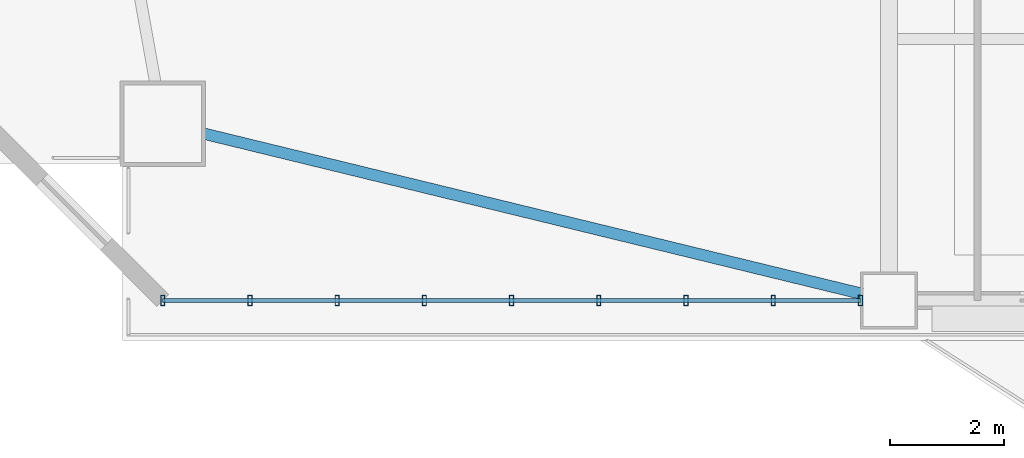
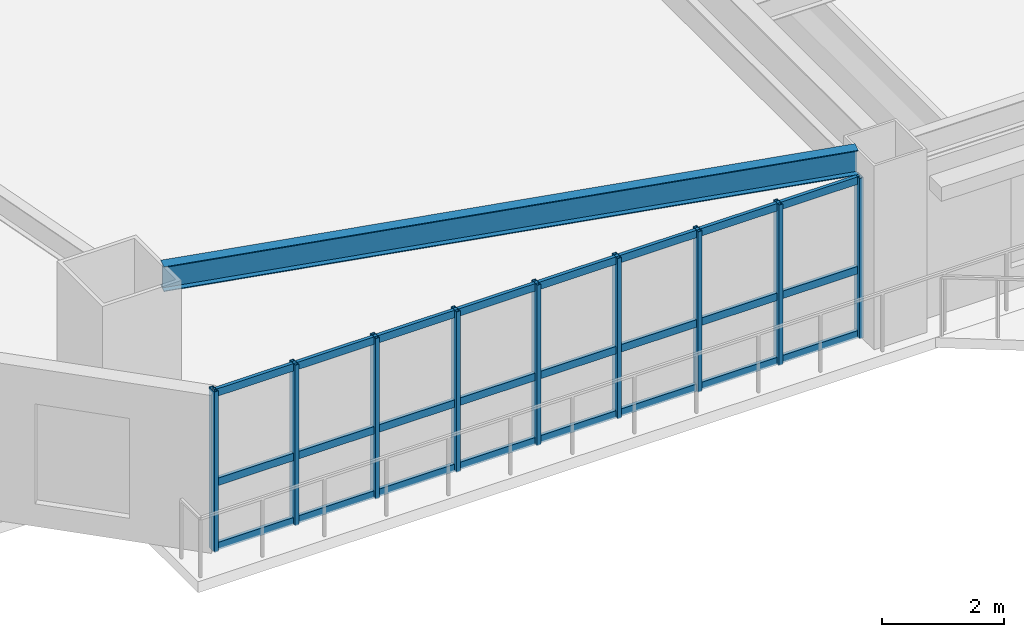
# One storey, part 2 of 16: 12 members, 1 beam, 1 element without a shape of its own.
"""IFC4 building model written with IfcOpenShell, lengths in metres."""

from ifc_helpers import new_model, si_unit, direction, frame, origin, origin_2d, place, context, subcontext, project, spatial, hollow_rectangle, i_section, extrude, source, transform, mapped, material, layer, layer_set, material_profile, profile_set, type_object, element, aggregate, save


model = new_model("IFC4")

# Units and contexts
model_context = context("Model", 3, precision=1e-05, world=origin(), true_north=direction((0.0, 1.0)))
body_context = subcontext(model_context, "Body", "Model", "MODEL_VIEW")
ifc_project = project(units=[si_unit("LENGTHUNIT", "METRE"), si_unit("AREAUNIT", "SQUARE_METRE"), si_unit("VOLUMEUNIT", "CUBIC_METRE"), si_unit("PLANEANGLEUNIT", "RADIAN"), si_unit("MASSUNIT", "GRAM", prefix="KILO")], contexts=[model_context])

# Site, building, storey
site_placement = place(None, origin())
site = spatial("IfcSite", under=ifc_project, at=site_placement, CompositionType="ELEMENT")
building_placement = place(site_placement, origin())
building = spatial("IfcBuilding", under=site, at=building_placement, Name="Giltprow Tower", CompositionType="ELEMENT")
storey_placement = place(building_placement, frame((0.0, 0.0, 79.60009765625)))
storey = spatial("IfcBuildingStorey", under=building, at=storey_placement, Name="L19", CompositionType="ELEMENT", Elevation=79.60009765625)

# Beam
ifc_material_1 = material(Name="Structural steel Q355B", Category="steel")
ifc_material_profile_1 = material_profile(ifc_material_1, i_section(OverallWidth=0.199951171875, OverallDepth=0.5, WebThickness=0.010009765625, FlangeThickness=0.01611328125, at=origin_2d()), Name="HN 500x200x10x16")
ifc_profile_set_1 = profile_set([ifc_material_profile_1], Name="Structural steel Q355B")
beam_type = type_object("IfcBeamType", Name="BM-SPAN-HN500", PredefinedType="SPANDREL", material=ifc_profile_set_1)
shared_shape_1 = source(origin(), body_context, "Body", "SweptSolid", [
    extrude(i_section(OverallWidth=0.199951171875, OverallDepth=0.5, WebThickness=0.010009765625, FlangeThickness=0.01611328125, at=origin_2d()), origin(), (0.0, 0.0, 1.0), 11.86572265625),
])
beam_placement = place(storey_placement, frame((7.85009765625, 8.3310546875, 3.429931640625), z_axis=(0.971612917486, -0.236576284894, 0.0), x_axis=(0.236576284894, 0.971612917486, 0.0)))
element("IfcBeam", 1, at=beam_placement, inside=storey, type_object=beam_type, Name="L19 Perimeter Spandrel Beam MC_SW-S1", PredefinedType="SPANDREL", context=body_context, shape_type="MappedRepresentation", body=[
    mapped(shared_shape_1, transform((0.0, 0.0, 0.0), x_axis=(1.0, 0.0, 0.0), y_axis=(0.0, 1.0, 0.0), z_axis=(0.0, 0.0, 1.0), scale=1.0)),
])

# Curtain wall, members
ifc_material_2 = material(Name="Anodized bronze", Category="metal")
ifc_layer = layer(ifc_material_2, 0.179931640625, Name="Anodized bronze")
ifc_layer_set = layer_set([ifc_layer], Name="Anodized bronze")
curtain_wall_type = type_object("IfcCurtainWallType", Name="CW-OFF-RECESSED", PredefinedType="NOTDEFINED", material=ifc_layer_set)
curtain_wall_placement = place(storey_placement, origin())
curtain_wall = element("IfcCurtainWall", 2, at=curtain_wall_placement, inside=storey, type_object=curtain_wall_type, Name="L19 South Recessed Curtain Wall 1", PredefinedType="NOTDEFINED")
ifc_material_profile_2 = material_profile(ifc_material_2, hollow_rectangle(XDim=0.074951171875, YDim=0.179931640625, WallThickness=0.008056640625, at=origin_2d()), Name="RHS 180x75x8")
ifc_profile_set_2 = profile_set([ifc_material_profile_2], Name="Anodized bronze")
member_type_1 = type_object("IfcMemberType", Name="CW-MULLION-180x75", PredefinedType="MULLION", material=ifc_profile_set_2)
shared_shape_2 = source(origin(), body_context, "Body", "SweptSolid", [
    extrude(hollow_rectangle(XDim=0.074951171875, YDim=0.179931640625, WallThickness=0.008056640625, at=origin_2d()), origin(), (0.0, 0.0, 1.0), 3.21484375),
])
member_1_placement = place(storey_placement, frame((7.135986328125, 5.408935546875, -0.02001953125), z_axis=(0.0, 0.0, 1.0), x_axis=(1.0, 0.0, 0.0)))
member_1 = element("IfcMember", 3, at=member_1_placement, type_object=member_type_1, Name="L19 South Recessed Curtain Wall 1 Mullion 1", PredefinedType="MULLION", context=body_context, shape_type="MappedRepresentation", body=[
    mapped(shared_shape_2, transform((0.0, 0.0, 0.0), x_axis=(1.0, 0.0, 0.0), y_axis=(0.0, 1.0, 0.0), z_axis=(0.0, 0.0, 1.0), scale=1.0)),
])
member_2_placement = place(storey_placement, frame((8.6630859375, 5.408935546875, -0.02001953125), z_axis=(0.0, 0.0, 1.0), x_axis=(1.0, 0.0, 0.0)))
member_2 = element("IfcMember", 4, at=member_2_placement, type_object=member_type_1, Name="L19 South Recessed Curtain Wall 1 Mullion 2", PredefinedType="MULLION", context=body_context, shape_type="MappedRepresentation", body=[
    mapped(shared_shape_2, transform((0.0, 0.0, 0.0), x_axis=(1.0, 0.0, 0.0), y_axis=(0.0, 1.0, 0.0), z_axis=(0.0, 0.0, 1.0), scale=1.0)),
])
member_3_placement = place(storey_placement, frame((10.18994140625, 5.408935546875, -0.02001953125), z_axis=(0.0, 0.0, 1.0), x_axis=(1.0, 0.0, 0.0)))
member_3 = element("IfcMember", 5, at=member_3_placement, type_object=member_type_1, Name="L19 South Recessed Curtain Wall 1 Mullion 3", PredefinedType="MULLION", context=body_context, shape_type="MappedRepresentation", body=[
    mapped(shared_shape_2, transform((0.0, 0.0, 0.0), x_axis=(1.0, 0.0, 0.0), y_axis=(0.0, 1.0, 0.0), z_axis=(0.0, 0.0, 1.0), scale=1.0)),
])
member_4_placement = place(storey_placement, frame((11.716064453125, 5.408935546875, -0.02001953125), z_axis=(0.0, 0.0, 1.0), x_axis=(1.0, 0.0, 0.0)))
member_4 = element("IfcMember", 6, at=member_4_placement, type_object=member_type_1, Name="L19 South Recessed Curtain Wall 1 Mullion 4", PredefinedType="MULLION", context=body_context, shape_type="MappedRepresentation", body=[
    mapped(shared_shape_2, transform((0.0, 0.0, 0.0), x_axis=(1.0, 0.0, 0.0), y_axis=(0.0, 1.0, 0.0), z_axis=(0.0, 0.0, 1.0), scale=1.0)),
])
member_5_placement = place(storey_placement, frame((13.242919921875, 5.408935546875, -0.02001953125), z_axis=(0.0, 0.0, 1.0), x_axis=(1.0, 0.0, 0.0)))
member_5 = element("IfcMember", 7, at=member_5_placement, type_object=member_type_1, Name="L19 South Recessed Curtain Wall 1 Mullion 5", PredefinedType="MULLION", context=body_context, shape_type="MappedRepresentation", body=[
    mapped(shared_shape_2, transform((0.0, 0.0, 0.0), x_axis=(1.0, 0.0, 0.0), y_axis=(0.0, 1.0, 0.0), z_axis=(0.0, 0.0, 1.0), scale=1.0)),
])
member_6_placement = place(storey_placement, frame((14.77001953125, 5.408935546875, -0.02001953125), z_axis=(0.0, 0.0, 1.0), x_axis=(1.0, 0.0, 0.0)))
member_6 = element("IfcMember", 8, at=member_6_placement, type_object=member_type_1, Name="L19 South Recessed Curtain Wall 1 Mullion 6", PredefinedType="MULLION", context=body_context, shape_type="MappedRepresentation", body=[
    mapped(shared_shape_2, transform((0.0, 0.0, 0.0), x_axis=(1.0, 0.0, 0.0), y_axis=(0.0, 1.0, 0.0), z_axis=(0.0, 0.0, 1.0), scale=1.0)),
])
member_7_placement = place(storey_placement, frame((16.297119140625, 5.408935546875, -0.02001953125), z_axis=(0.0, 0.0, 1.0), x_axis=(1.0, 0.0, 0.0)))
member_7 = element("IfcMember", 9, at=member_7_placement, type_object=member_type_1, Name="L19 South Recessed Curtain Wall 1 Mullion 7", PredefinedType="MULLION", context=body_context, shape_type="MappedRepresentation", body=[
    mapped(shared_shape_2, transform((0.0, 0.0, 0.0), x_axis=(1.0, 0.0, 0.0), y_axis=(0.0, 1.0, 0.0), z_axis=(0.0, 0.0, 1.0), scale=1.0)),
])
member_8_placement = place(storey_placement, frame((17.822998046875, 5.408935546875, -0.02001953125), z_axis=(0.0, 0.0, 1.0), x_axis=(1.0, 0.0, 0.0)))
member_8 = element("IfcMember", 10, at=member_8_placement, type_object=member_type_1, Name="L19 South Recessed Curtain Wall 1 Mullion 8", PredefinedType="MULLION", context=body_context, shape_type="MappedRepresentation", body=[
    mapped(shared_shape_2, transform((0.0, 0.0, 0.0), x_axis=(1.0, 0.0, 0.0), y_axis=(0.0, 1.0, 0.0), z_axis=(0.0, 0.0, 1.0), scale=1.0)),
])
member_9_placement = place(storey_placement, frame((19.35009765625, 5.408935546875, -0.02001953125), z_axis=(0.0, 0.0, 1.0), x_axis=(1.0, 0.0, 0.0)))
member_9 = element("IfcMember", 11, at=member_9_placement, type_object=member_type_1, Name="L19 South Recessed Curtain Wall 1 Mullion 9", PredefinedType="MULLION", context=body_context, shape_type="MappedRepresentation", body=[
    mapped(shared_shape_2, transform((0.0, 0.0, 0.0), x_axis=(1.0, 0.0, 0.0), y_axis=(0.0, 1.0, 0.0), z_axis=(0.0, 0.0, 1.0), scale=1.0)),
])
ifc_material_profile_3 = material_profile(ifc_material_2, hollow_rectangle(XDim=0.06494140625, YDim=0.14990234375, WallThickness=0.006103515625, at=origin_2d()), Name="RHS 150x65x6")
ifc_profile_set_3 = profile_set([ifc_material_profile_3], Name="Anodized bronze")
member_type_2 = type_object("IfcMemberType", Name="CW-TRANSOM-150x65", PredefinedType="USERDEFINED", material=ifc_profile_set_3)
shared_shape_3 = source(origin(), body_context, "Body", "SweptSolid", [
    extrude(hollow_rectangle(XDim=0.06494140625, YDim=0.14990234375, WallThickness=0.006103515625, at=origin_2d()), origin(), (0.0, 0.0, 1.0), 12.214111328125),
])
member_10_placement = place(storey_placement, frame((7.135986328125, 5.408935546875, 0.039794921875), z_axis=(1.0, 0.0, 0.0), x_axis=(0.0, 1.0, 0.0)))
member_10 = element("IfcMember", 12, at=member_10_placement, type_object=member_type_2, Name="L19 South Recessed Curtain Wall 1 Transom 1", ObjectType="TRANSOM", PredefinedType="USERDEFINED", context=body_context, shape_type="MappedRepresentation", body=[
    mapped(shared_shape_3, transform((0.0, 0.0, 0.0), x_axis=(1.0, 0.0, 0.0), y_axis=(0.0, 1.0, 0.0), z_axis=(0.0, 0.0, 1.0), scale=1.0)),
])
member_11_placement = place(storey_placement, frame((7.135986328125, 5.408935546875, 1.326904296875), z_axis=(1.0, 0.0, 0.0), x_axis=(0.0, 1.0, 0.0)))
member_11 = element("IfcMember", 13, at=member_11_placement, type_object=member_type_2, Name="L19 South Recessed Curtain Wall 1 Transom 2", ObjectType="TRANSOM", PredefinedType="USERDEFINED", context=body_context, shape_type="MappedRepresentation", body=[
    mapped(shared_shape_3, transform((0.0, 0.0, 0.0), x_axis=(1.0, 0.0, 0.0), y_axis=(0.0, 1.0, 0.0), z_axis=(0.0, 0.0, 1.0), scale=1.0)),
])
member_12_placement = place(storey_placement, frame((7.135986328125, 5.408935546875, 3.119873046875), z_axis=(1.0, 0.0, 0.0), x_axis=(0.0, 1.0, 0.0)))
member_12 = element("IfcMember", 14, at=member_12_placement, type_object=member_type_2, Name="L19 South Recessed Curtain Wall 1 Transom 3", ObjectType="TRANSOM", PredefinedType="USERDEFINED", context=body_context, shape_type="MappedRepresentation", body=[
    mapped(shared_shape_3, transform((0.0, 0.0, 0.0), x_axis=(1.0, 0.0, 0.0), y_axis=(0.0, 1.0, 0.0), z_axis=(0.0, 0.0, 1.0), scale=1.0)),
])
aggregate(curtain_wall, [member_1, member_2, member_3, member_4, member_5, member_6, member_7, member_8, member_9, member_10, member_11, member_12])

save(model, "model.ifc")
